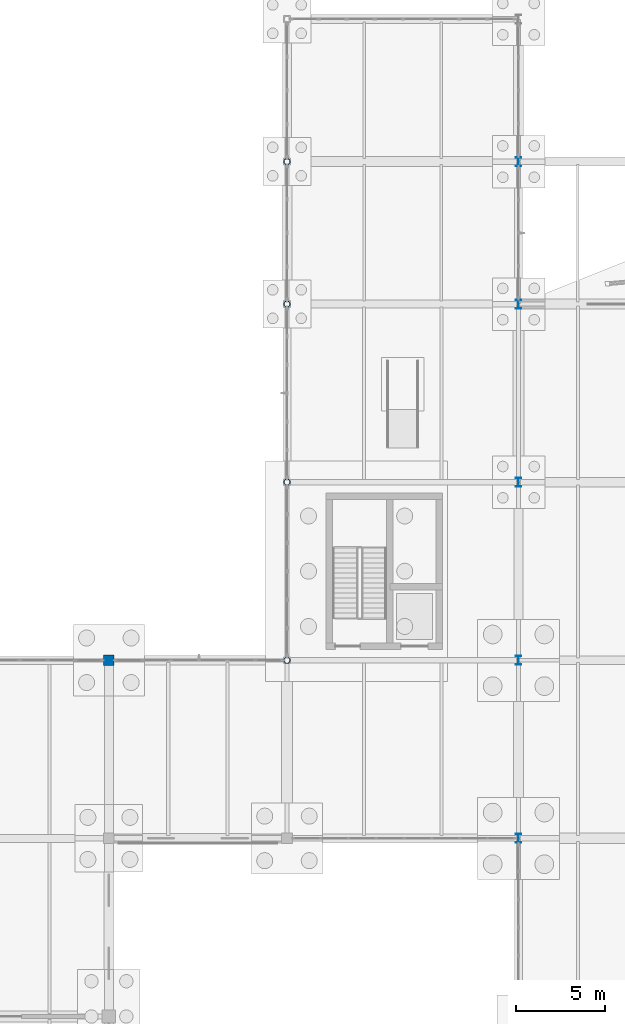
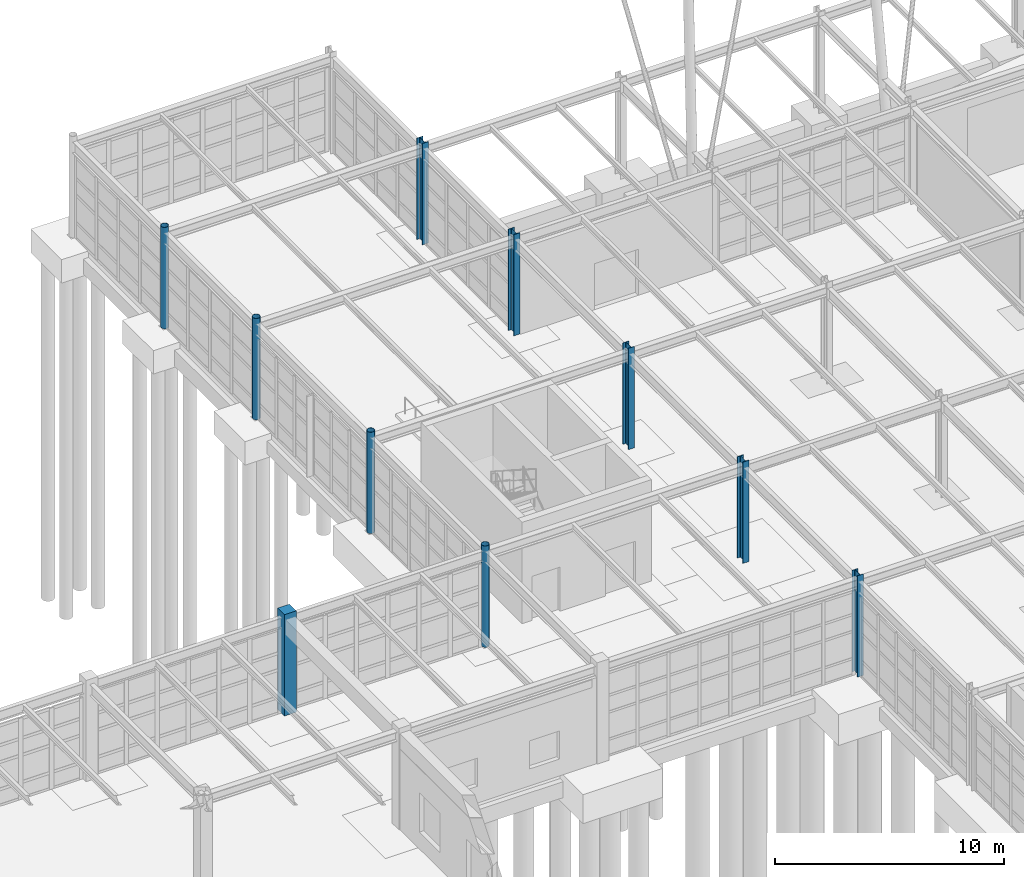
# One storey, part 20 of 145: 10 columns.
"""IFC4 building model written with IfcOpenShell, lengths in metres."""

from ifc_helpers import new_model, si_unit, direction, frame, origin, origin_2d, place, context, subcontext, project, spatial, rectangle, hollow_circle, i_section, extrude, material, material_profile, profile_set, type_object, element, save


model = new_model("IFC4")

# Units and contexts
model_context = context("Model", 3, precision=1e-05, world=origin(), true_north=direction((0.0, 1.0)))
body_context = subcontext(model_context, "Body", "Model", "MODEL_VIEW")
ifc_project = project(units=[si_unit("LENGTHUNIT", "METRE"), si_unit("AREAUNIT", "SQUARE_METRE"), si_unit("VOLUMEUNIT", "CUBIC_METRE"), si_unit("PLANEANGLEUNIT", "RADIAN"), si_unit("MASSUNIT", "GRAM", prefix="KILO"), si_unit("THERMODYNAMICTEMPERATUREUNIT", "KELVIN"), si_unit("POWERUNIT", "WATT")], contexts=[model_context])

# Site, building, storey
site_placement = place(None, origin())
site = spatial("IfcSite", under=ifc_project, at=site_placement, CompositionType="ELEMENT")
building_placement = place(site_placement, origin())
building = spatial("IfcBuilding", under=site, at=building_placement, Name="Korenveer Ferry Terminal", CompositionType="ELEMENT")
storey_placement = place(building_placement, origin())
storey = spatial("IfcBuildingStorey", under=building, at=storey_placement, Name="L00", CompositionType="ELEMENT", Elevation=0.0)

# Columns
ifc_material_1 = material(Name="Steel S355", Category="steel")
ifc_material_profile_1 = material_profile(ifc_material_1, hollow_circle(Radius=0.177734375, WallThickness=0.01611328125, at=origin_2d()), Name="CHS 355.6x16")
ifc_profile_set_1 = profile_set([ifc_material_profile_1], Name="Steel S355")
column_type_1 = type_object("IfcColumnType", Name="STR-COL-CHS355", PredefinedType="COLUMN", material=ifc_profile_set_1)
for number, where, z_axis, x_axis, name in (
    (1, (40.0, 80.0, 0.0), (0.0, 0.0, 1.0), (1.0, 0.0, 0.0), "Column COL-L00-X40-Y80"),
    (2, (40.0, 90.0, 0.0), (0.0, 0.0, 1.0), (1.0, 0.0, 0.0), "Column COL-L00-X40-Y90"),
    (3, (40.0, 100.0, 0.0), (0.0, 0.0, 1.0), (1.0, 0.0, 0.0), "Column COL-L00-X40-Y100"),
    (4, (40.0, 108.0, 0.0), (0.0, 0.0, 1.0), (1.0, 0.0, 0.0), "Column COL-L00-X40-Y108"),
):
    element("IfcColumn", number, at=place(storey_placement, frame(where, z_axis=z_axis, x_axis=x_axis)), inside=storey, type_object=column_type_1, Name=name, PredefinedType="COLUMN", context=body_context, shape_type="SweptSolid", body=[
        extrude(hollow_circle(Radius=0.177734375, WallThickness=0.01611328125, at=origin_2d()), origin(), (0.0, 0.0, 1.0), 5.39990234375),
    ])
ifc_material_profile_2 = material_profile(ifc_material_1, i_section(OverallWidth=0.300048828125, OverallDepth=0.5, WebThickness=0.014404296875, FlangeThickness=0.028076171875, FilletRadius=0.027099609375, at=origin_2d()), Name="HEB 500")
ifc_profile_set_2 = profile_set([ifc_material_profile_2], Name="Steel S355")
column_type_2 = type_object("IfcColumnType", Name="STR-COL-HEB500", PredefinedType="COLUMN", material=ifc_profile_set_2)
for number, where, z_axis, x_axis, name in (
    (5, (53.0, 70.0, 0.0), (0.0, 0.0, 1.0), (1.0, 0.0, 0.0), "Column COL-L00-X53-Y70"),
    (6, (53.0, 80.0, 0.0), (0.0, 0.0, 1.0), (1.0, 0.0, 0.0), "Column COL-L00-X53-Y80"),
    (7, (53.0, 90.0, 0.0), (0.0, 0.0, 1.0), (1.0, 0.0, 0.0), "Column COL-L00-X53-Y90"),
    (8, (53.0, 100.0, 0.0), (0.0, 0.0, 1.0), (1.0, 0.0, 0.0), "Column COL-L00-X53-Y100"),
    (9, (53.0, 108.0, 0.0), (0.0, 0.0, 1.0), (1.0, 0.0, 0.0), "Column COL-L00-X53-Y108"),
):
    element("IfcColumn", number, at=place(storey_placement, frame(where, z_axis=z_axis, x_axis=x_axis)), inside=storey, type_object=column_type_2, Name=name, PredefinedType="COLUMN", context=body_context, shape_type="SweptSolid", body=[
        extrude(i_section(OverallWidth=0.300048828125, OverallDepth=0.5, WebThickness=0.014404296875, FlangeThickness=0.028076171875, FilletRadius=0.027099609375, at=origin_2d()), origin(), (0.0, 0.0, 1.0), 5.39990234375),
    ])
ifc_material_2 = material(Name="Concrete C45/55", Category="concrete")
ifc_material_profile_3 = material_profile(ifc_material_2, rectangle(XDim=0.60009765625, YDim=0.60009765625, at=origin_2d()), Name="RC 600x600")
ifc_profile_set_3 = profile_set([ifc_material_profile_3], Name="Concrete C45/55")
column_type_3 = type_object("IfcColumnType", Name="STR-COL-RC600", PredefinedType="COLUMN", material=ifc_profile_set_3)
column_placement = place(storey_placement, frame((30.0, 80.0, 0.0), z_axis=(0.0, 0.0, 1.0), x_axis=(1.0, 0.0, 0.0)))
element("IfcColumn", 10, at=column_placement, inside=storey, type_object=column_type_3, Name="Column COL-L00-X30-Y80", PredefinedType="COLUMN", context=body_context, shape_type="SweptSolid", body=[
    extrude(rectangle(XDim=0.60009765625, YDim=0.60009765625, at=origin_2d()), origin(), (0.0, 0.0, 1.0), 5.39990234375),
])

save(model, "model.ifc")
